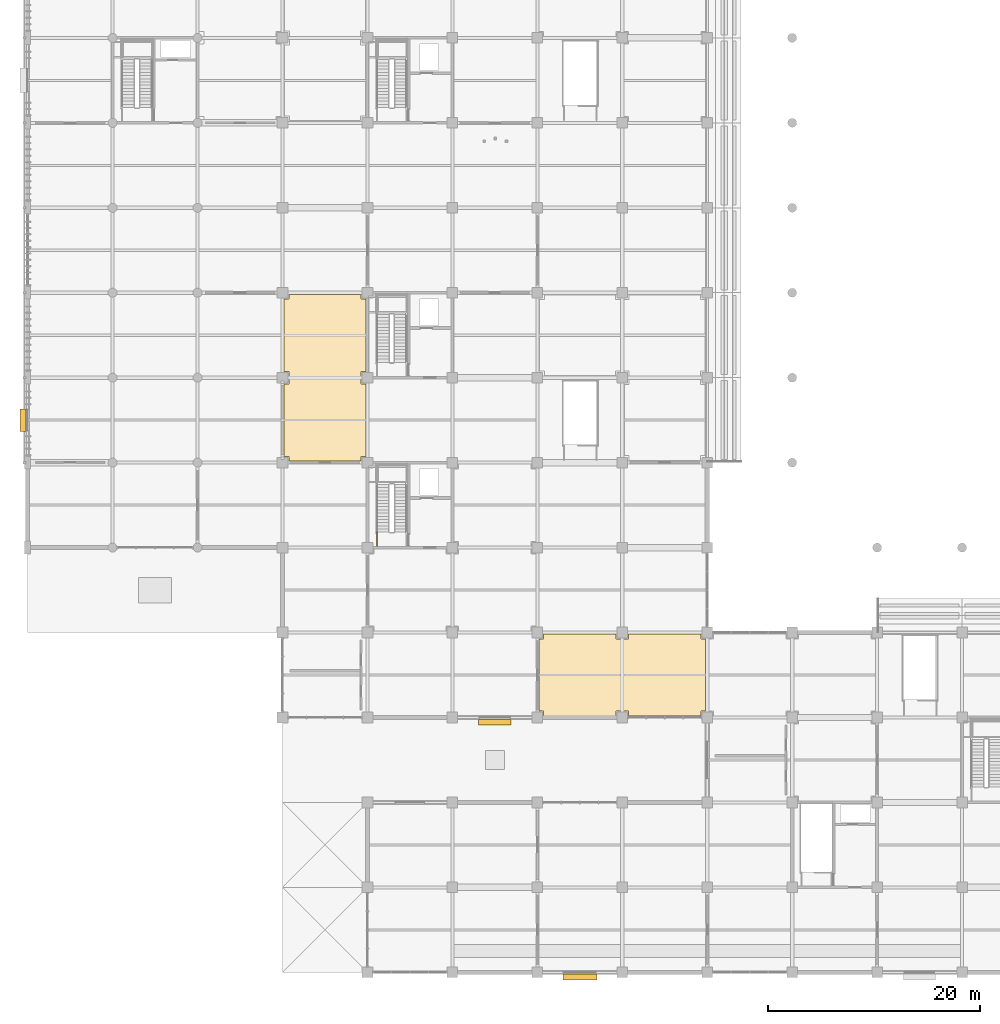
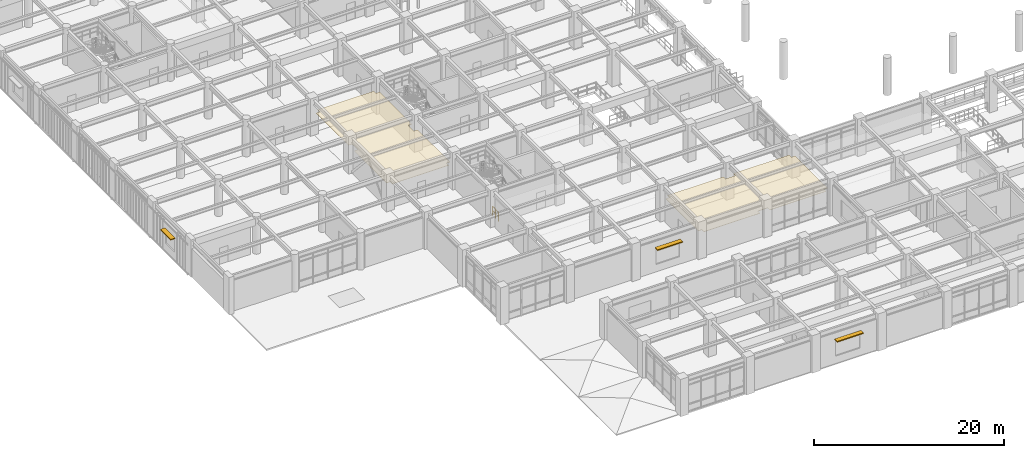
# One storey, part 97 of 117: 3 shading devices, 2 coverings, 1 railing.
"""IFC4 building model written with IfcOpenShell, lengths in metres."""

from ifc_helpers import new_model, si_unit, direction, frame, origin, origin_2d, place, context, subcontext, project, spatial, polyline, rectangle, circle, outline, extrude, material, layer, layer_set, type_object, element, save


model = new_model("IFC4")

# Units and contexts
model_context = context("Model", 3, precision=1e-05, world=origin(), true_north=direction((0.0, 1.0)))
body_context = subcontext(model_context, "Body", "Model", "MODEL_VIEW")
ifc_project = project(units=[si_unit("LENGTHUNIT", "METRE"), si_unit("AREAUNIT", "SQUARE_METRE"), si_unit("VOLUMEUNIT", "CUBIC_METRE"), si_unit("PLANEANGLEUNIT", "RADIAN"), si_unit("MASSUNIT", "GRAM", prefix="KILO")], contexts=[model_context])

# Site, building, storey
site_placement = place(None, origin())
site = spatial("IfcSite", under=ifc_project, at=site_placement, CompositionType="ELEMENT")
building_placement = place(site_placement, origin())
building = spatial("IfcBuilding", under=site, at=building_placement, Name="Haebicheon Civic Stadium", CompositionType="ELEMENT")
storey_placement = place(building_placement, frame((0.0, 0.0, 4.800048828125)))
storey = spatial("IfcBuildingStorey", under=building, at=storey_placement, Name="L02", CompositionType="ELEMENT", Elevation=4.800048828125)

# Coverings
ifc_material_1 = material(Name="Perforated mineral-fibre acoustic board", Category="gypsum")
ifc_layer_1 = layer(ifc_material_1, 0.0400390625, Name="Perforated mineral-fibre acoustic board")
ifc_layer_set_1 = layer_set([ifc_layer_1], Name="Perforated mineral-fibre acoustic board")
covering_type = type_object("IfcCoveringType", Name="COV-CLG-AC", PredefinedType="CEILING", material=ifc_layer_set_1)
covering_1_placement = place(storey_placement, frame((0.0, 0.0, 2.81005859375)))
element("IfcCovering", 1, at=covering_1_placement, inside=storey, type_object=covering_type, material=ifc_layer_set_1, Name="L02 Food and Beverage Kiosk acoustic ceiling", PredefinedType="CEILING", context=body_context, shape_type="SweptSolid", body=[
    extrude(outline(polyline([(24.594970703125, 48.14501953125), (24.594970703125, 48.594970703125), (24.14501953125, 48.594970703125), (24.14501953125, 55.405029296875), (24.594970703125, 55.405029296875), (24.594970703125, 56.594970703125), (24.14501953125, 56.594970703125), (24.14501953125, 63.405029296875), (24.594970703125, 63.405029296875), (24.594970703125, 63.85498046875), (31.405029296875, 63.85498046875), (31.405029296875, 63.405029296875), (31.85498046875, 63.405029296875), (31.85498046875, 56.594970703125), (31.405029296875, 56.594970703125), (31.405029296875, 55.405029296875), (31.85498046875, 55.405029296875), (31.85498046875, 48.594970703125), (31.405029296875, 48.594970703125), (31.405029296875, 48.14501953125), (24.594970703125, 48.14501953125)])), origin(), (0.0, 0.0, 1.0), 0.039794921875),
])
covering_2_placement = place(storey_placement, frame((0.0, 0.0, 2.81005859375)))
element("IfcCovering", 2, at=covering_2_placement, inside=storey, type_object=covering_type, material=ifc_layer_set_1, Name="L02 Family Viewing Lounge acoustic ceiling", PredefinedType="CEILING", context=body_context, shape_type="SweptSolid", body=[
    extrude(outline(polyline([(48.14501953125, 31.405029296875), (48.594970703125, 31.405029296875), (48.594970703125, 31.85498046875), (55.405029296875, 31.85498046875), (55.405029296875, 31.405029296875), (56.594970703125, 31.405029296875), (56.594970703125, 31.85498046875), (63.405029296875, 31.85498046875), (63.405029296875, 31.405029296875), (63.85498046875, 31.405029296875), (63.85498046875, 24.594970703125), (63.405029296875, 24.594970703125), (63.405029296875, 24.14501953125), (56.594970703125, 24.14501953125), (56.594970703125, 24.594970703125), (55.405029296875, 24.594970703125), (55.405029296875, 24.14501953125), (48.594970703125, 24.14501953125), (48.594970703125, 24.594970703125), (48.14501953125, 24.594970703125), (48.14501953125, 31.405029296875)])), origin(), (0.0, 0.0, 1.0), 0.039794921875),
])

# Railing
ifc_material_2 = material(Name="Galvanised painted steel SM355", Category="steel")
railing_type = type_object("IfcRailingType", Name="RL-GRD-1150", PredefinedType="GUARDRAIL", material=ifc_material_2)
railing_placement = place(storey_placement, frame((32.889892578125, 40.159912109375, 0.0)))
element("IfcRailing", 3, at=railing_placement, inside=storey, type_object=railing_type, material=ifc_material_2, Name="L02 ST-01 stair guard 9", PredefinedType="GUARDRAIL", context=body_context, shape_type="SweptSolid", body=[
    extrude(circle(Radius=0.02392578125, at=origin_2d()), frame((0.0, 0.0, 1.1259765625), z_axis=(0.0, 1.0, 0.0), x_axis=(-1.0, 0.0, 0.0)), (0.0, 0.0, 1.0), 1.2900390625),
    extrude(circle(Radius=0.02392578125, at=origin_2d()), frame((0.0, 0.0, 0.574951171875), z_axis=(0.0, 1.0, 0.0), x_axis=(-1.0, 0.0, 0.0)), (0.0, 0.0, 1.0), 1.2900390625),
    extrude(circle(Radius=0.02099609375, at=origin_2d()), origin(), (0.0, 0.0, 1.0), 1.101806640625),
    extrude(circle(Radius=0.02099609375, at=origin_2d()), frame((0.0, 0.64501953125, 0.0)), (0.0, 0.0, 1.0), 1.101806640625),
    extrude(circle(Radius=0.02099609375, at=origin_2d()), frame((0.0, 1.2900390625, 0.0)), (0.0, 0.0, 1.0), 1.101806640625),
])

# Shading devices
ifc_material_3 = material(Name="Anodised aluminium 6063-T6", Category="aluminium")
ifc_layer_2 = layer(ifc_material_3, 0.1201171875, Name="Anodised aluminium 6063-T6")
ifc_layer_set_2 = layer_set([ifc_layer_2], Name="Anodised aluminium 6063-T6")
shading_device_type = type_object("IfcShadingDeviceType", Name="SHD-ALU-LVR", PredefinedType="USERDEFINED", material=ifc_layer_set_2)
shading_device_1_placement = place(storey_placement, frame((-0.445068359375, 52.0, 2.769775390625), z_axis=(0.0, 0.0, 1.0), x_axis=(1.0, 0.0, 0.0)))
element("IfcShadingDevice", 4, at=shading_device_1_placement, inside=storey, type_object=shading_device_type, material=ifc_layer_set_2, Name="L02 window sunshade louvre hood 11", ObjectType="LOUVRE", PredefinedType="USERDEFINED", context=body_context, shape_type="SweptSolid", body=[
    extrude(rectangle(XDim=0.550048828125, YDim=2.14990234375, at=origin_2d()), origin(), (0.0, 0.0, 1.0), 0.1201171875),
])
shading_device_2_placement = place(storey_placement, frame((44.0, 23.554931640625, 3.06982421875), z_axis=(0.0, 0.0, 1.0), x_axis=(1.0, 0.0, 0.0)))
element("IfcShadingDevice", 5, at=shading_device_2_placement, inside=storey, type_object=shading_device_type, material=ifc_layer_set_2, Name="L02 window sunshade louvre hood 14", ObjectType="LOUVRE", PredefinedType="USERDEFINED", context=body_context, shape_type="SweptSolid", body=[
    extrude(rectangle(XDim=3.050048828125, YDim=0.550048828125, at=origin_2d()), origin(), (0.0, 0.0, 1.0), 0.1201171875),
])
shading_device_3_placement = place(storey_placement, frame((52.0, -0.445068359375, 3.06982421875), z_axis=(0.0, 0.0, 1.0), x_axis=(1.0, 0.0, 0.0)))
element("IfcShadingDevice", 6, at=shading_device_3_placement, inside=storey, type_object=shading_device_type, material=ifc_layer_set_2, Name="L02 window sunshade louvre hood 15", ObjectType="LOUVRE", PredefinedType="USERDEFINED", context=body_context, shape_type="SweptSolid", body=[
    extrude(rectangle(XDim=3.199951171875, YDim=0.550048828125, at=origin_2d()), origin(), (0.0, 0.0, 1.0), 0.1201171875),
])

save(model, "model.ifc")
